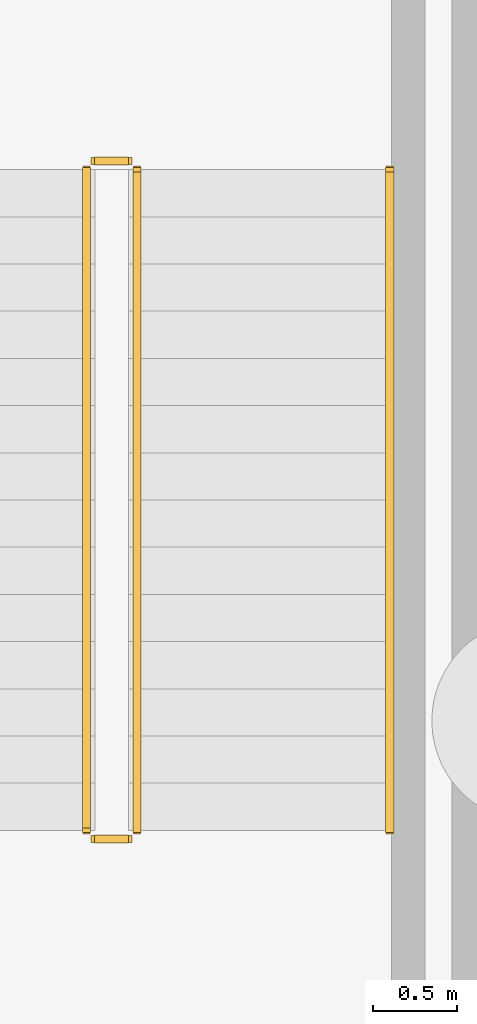
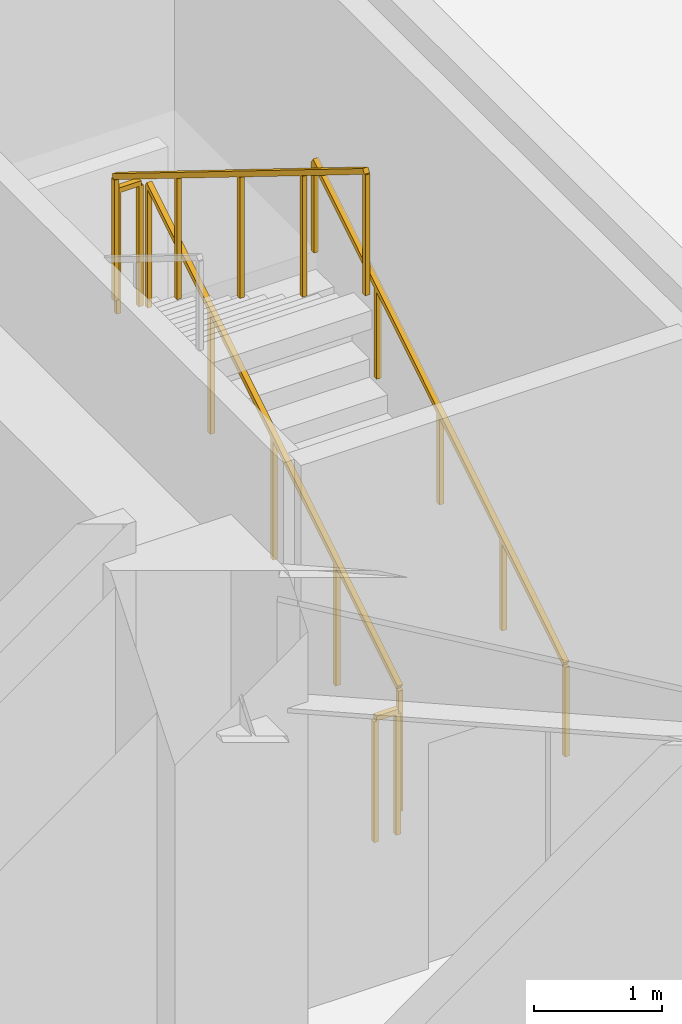
# One storey, part 9 of 10: 5 railings.
"""IFC4 building model written with IfcOpenShell, lengths in metres."""

from ifc_helpers import new_model, si_unit, direction, frame, origin, origin_2d, place, context, subcontext, project, spatial, rectangle, extrude, material, type_object, element, save


model = new_model("IFC4")

# Units and contexts
model_context = context("Model", 3, precision=1e-05, world=origin(), true_north=direction((0.0, 1.0)))
body_context = subcontext(model_context, "Body", "Model", "MODEL_VIEW")
ifc_project = project(units=[si_unit("LENGTHUNIT", "METRE"), si_unit("AREAUNIT", "SQUARE_METRE"), si_unit("VOLUMEUNIT", "CUBIC_METRE"), si_unit("PLANEANGLEUNIT", "RADIAN"), si_unit("MASSUNIT", "GRAM", prefix="KILO")], contexts=[model_context])

# Site, building, storey
site_placement = place(None, origin())
site = spatial("IfcSite", under=ifc_project, at=site_placement, CompositionType="ELEMENT")
building_placement = place(site_placement, origin())
building = spatial("IfcBuilding", under=site, at=building_placement, Name="Giltprow Tower", CompositionType="ELEMENT")
storey_placement = place(building_placement, frame((0.0, 0.0, -10.39990234375)))
storey = spatial("IfcBuildingStorey", under=building, at=storey_placement, Name="B02", CompositionType="ELEMENT", Elevation=-10.39990234375)

# Railings
ifc_material = material(Name="Anodized bronze", Category="metal")
railing_type_1 = type_object("IfcRailingType", Name="RAIL-STAIR-GUARD-1200", PredefinedType="GUARDRAIL", material=ifc_material)
railing_1_placement = place(storey_placement, frame((53.64990234375, 39.75, 0.17333984375)))
element("IfcRailing", 1, at=railing_1_placement, inside=storey, type_object=railing_type_1, Name="B02 ST-P2 stair guard 1", PredefinedType="GUARDRAIL", context=body_context, shape_type="SweptSolid", body=[
    extrude(rectangle(XDim=0.048095703125, YDim=0.048095703125, at=origin_2d()), frame((0.0, 0.0, 1.17578125), z_axis=(0.0, 0.850275303828, 0.526338206574), x_axis=(-1.0, 0.0, 0.0)), (0.0, 0.0, 1.0), 4.610107421875),
    extrude(rectangle(XDim=0.0419921875, YDim=0.0419921875, at=origin_2d()), origin(), (0.0, 0.0, 1.0), 1.15185546875),
    extrude(rectangle(XDim=0.0419921875, YDim=0.0419921875, at=origin_2d()), frame((0.0, 0.97998046875, 0.606689453125)), (0.0, 0.0, 1.0), 1.15185546875),
    extrude(rectangle(XDim=0.0419921875, YDim=0.0419921875, at=origin_2d()), frame((0.0, 1.9599609375, 1.21337890625)), (0.0, 0.0, 1.0), 1.15185546875),
    extrude(rectangle(XDim=0.0419921875, YDim=0.0419921875, at=origin_2d()), frame((0.0, 2.93994140625, 1.81982421875)), (0.0, 0.0, 1.0), 1.15185546875),
    extrude(rectangle(XDim=0.0419921875, YDim=0.0419921875, at=origin_2d()), frame((0.0, 3.919921875, 2.426513671875)), (0.0, 0.0, 1.0), 1.15185546875),
])
railing_2_placement = place(storey_placement, frame((53.60009765625, 43.719970703125, 2.599853515625)))
element("IfcRailing", 2, at=railing_2_placement, inside=storey, type_object=railing_type_1, Name="B02 ST-P2 stair guard 2", PredefinedType="GUARDRAIL", context=body_context, shape_type="SweptSolid", body=[
    extrude(rectangle(XDim=0.048095703125, YDim=0.048095703125, at=origin_2d()), frame((0.0, 0.0, 1.17578125), z_axis=(-1.0, 0.0, 0.0), x_axis=(0.0, -1.0, 0.0)), (0.0, 0.0, 1.0), 0.2001953125),
    extrude(rectangle(XDim=0.0419921875, YDim=0.0419921875, at=origin_2d()), origin(), (0.0, 0.0, 1.0), 1.15185546875),
    extrude(rectangle(XDim=0.0419921875, YDim=0.0419921875, at=origin_2d()), frame((-0.2001953125, 0.0, 0.0)), (0.0, 0.0, 1.0), 1.15185546875),
])
railing_3_placement = place(storey_placement, frame((53.35009765625, 43.669921875, 2.773193359375)))
element("IfcRailing", 3, at=railing_3_placement, inside=storey, type_object=railing_type_1, Name="B02 ST-P2 stair guard 3", PredefinedType="GUARDRAIL", context=body_context, shape_type="SweptSolid", body=[
    extrude(rectangle(XDim=0.048095703125, YDim=0.048095703125, at=origin_2d()), frame((0.0, 0.0, 1.17578125), z_axis=(0.0, -0.850251603719, 0.526376491091), x_axis=(1.0, 0.0, 0.0)), (0.0, 0.0, 1.0), 4.6103515625),
    extrude(rectangle(XDim=0.0419921875, YDim=0.0419921875, at=origin_2d()), origin(), (0.0, 0.0, 1.0), 1.15185546875),
    extrude(rectangle(XDim=0.0419921875, YDim=0.0419921875, at=origin_2d()), frame((0.0, -0.97998046875, 0.606689453125)), (0.0, 0.0, 1.0), 1.15185546875),
    extrude(rectangle(XDim=0.0419921875, YDim=0.0419921875, at=origin_2d()), frame((0.0, -1.9599609375, 1.21337890625)), (0.0, 0.0, 1.0), 1.15185546875),
    extrude(rectangle(XDim=0.0419921875, YDim=0.0419921875, at=origin_2d()), frame((0.0, -2.93994140625, 1.820068359375)), (0.0, 0.0, 1.0), 1.15185546875),
    extrude(rectangle(XDim=0.0419921875, YDim=0.0419921875, at=origin_2d()), frame((0.0, -3.919921875, 2.4267578125)), (0.0, 0.0, 1.0), 1.15185546875),
])
railing_4_placement = place(storey_placement, frame((53.60009765625, 39.699951171875, 0.0)))
element("IfcRailing", 4, at=railing_4_placement, inside=storey, type_object=railing_type_1, Name="B02 ST-P2 stair guard 4", PredefinedType="GUARDRAIL", context=body_context, shape_type="SweptSolid", body=[
    extrude(rectangle(XDim=0.048095703125, YDim=0.048095703125, at=origin_2d()), frame((0.0, 0.0, 1.17578125), z_axis=(-1.0, 0.0, 0.0), x_axis=(0.0, -1.0, 0.0)), (0.0, 0.0, 1.0), 0.2001953125),
    extrude(rectangle(XDim=0.0419921875, YDim=0.0419921875, at=origin_2d()), origin(), (0.0, 0.0, 1.0), 1.15185546875),
    extrude(rectangle(XDim=0.0419921875, YDim=0.0419921875, at=origin_2d()), frame((-0.2001953125, 0.0, 0.0)), (0.0, 0.0, 1.0), 1.15185546875),
])
railing_type_2 = type_object("IfcRailingType", Name="RAIL-STAIR-HAND-900", PredefinedType="HANDRAIL", material=ifc_material)
railing_5_placement = place(storey_placement, frame((55.14990234375, 39.75, 0.17333984375)))
element("IfcRailing", 5, at=railing_5_placement, inside=storey, type_object=railing_type_2, Name="B02 ST-P2 stair handrail 1", PredefinedType="HANDRAIL", context=body_context, shape_type="SweptSolid", body=[
    extrude(rectangle(XDim=0.048095703125, YDim=0.048095703125, at=origin_2d()), frame((0.0, 0.0, 0.8759765625), z_axis=(0.0, 0.850275303828, 0.526338206574), x_axis=(-1.0, 0.0, 0.0)), (0.0, 0.0, 1.0), 4.610107421875),
    extrude(rectangle(XDim=0.0419921875, YDim=0.0419921875, at=origin_2d()), origin(), (0.0, 0.0, 1.0), 0.851806640625),
    extrude(rectangle(XDim=0.0419921875, YDim=0.0419921875, at=origin_2d()), frame((0.0, 0.97998046875, 0.606689453125)), (0.0, 0.0, 1.0), 0.851806640625),
    extrude(rectangle(XDim=0.0419921875, YDim=0.0419921875, at=origin_2d()), frame((0.0, 1.9599609375, 1.21337890625)), (0.0, 0.0, 1.0), 0.851806640625),
    extrude(rectangle(XDim=0.0419921875, YDim=0.0419921875, at=origin_2d()), frame((0.0, 2.93994140625, 1.81982421875)), (0.0, 0.0, 1.0), 0.851806640625),
    extrude(rectangle(XDim=0.0419921875, YDim=0.0419921875, at=origin_2d()), frame((0.0, 3.919921875, 2.426513671875)), (0.0, 0.0, 1.0), 0.851806640625),
])

save(model, "model.ifc")
